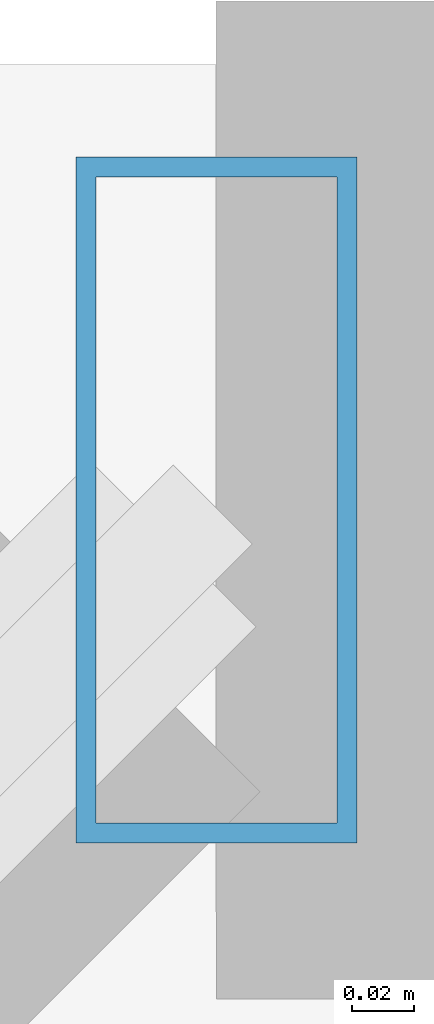
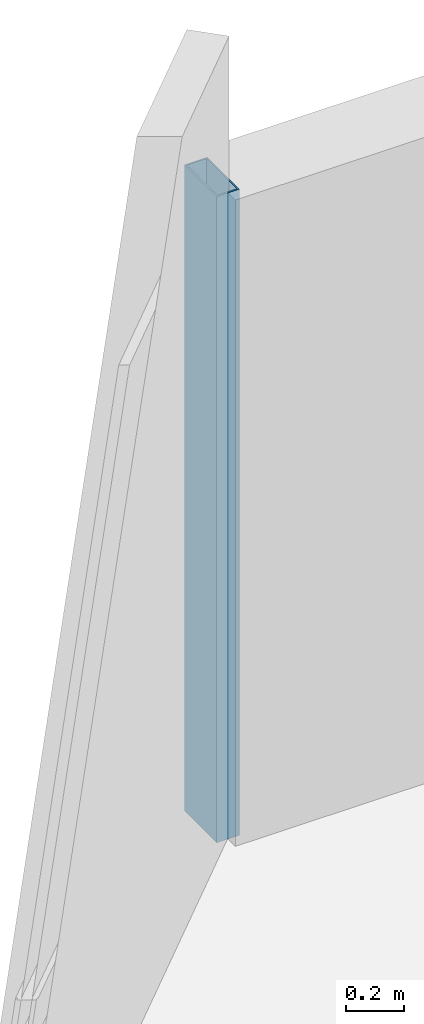
# One storey, part 9 of 33: 1 member, 1 element without a shape of its own.
"""IFC4 building model written with IfcOpenShell, lengths in metres."""

from ifc_helpers import new_model, si_unit, direction, frame, origin, origin_2d, place, context, subcontext, project, spatial, hollow_rectangle, extrude, material, material_profile, profile_set, type_object, element, aggregate, save


model = new_model("IFC4")

# Units and contexts
model_context = context("Model", 3, precision=1e-05, world=origin(), true_north=direction((0.0, 1.0)))
body_context = subcontext(model_context, "Body", "Model", "MODEL_VIEW")
ifc_project = project(units=[si_unit("LENGTHUNIT", "METRE"), si_unit("AREAUNIT", "SQUARE_METRE"), si_unit("VOLUMEUNIT", "CUBIC_METRE"), si_unit("PLANEANGLEUNIT", "RADIAN"), si_unit("MASSUNIT", "GRAM", prefix="KILO")], contexts=[model_context])

# Site, building, storey
site_placement = place(None, origin())
site = spatial("IfcSite", under=ifc_project, at=site_placement, CompositionType="ELEMENT")
building_placement = place(site_placement, origin())
building = spatial("IfcBuilding", under=site, at=building_placement, Name="Thornwick Lancets Civic Towers", CompositionType="ELEMENT")
storey_placement = place(building_placement, frame((0.0, 0.0, 101.699951171875)))
storey = spatial("IfcBuildingStorey", under=building, at=storey_placement, Name="L26", CompositionType="ELEMENT", Elevation=101.699951171875)

# Curtain wall, member
ifc_material_1 = material(Name="Low-zone chamfered-corner unitised glass curtain wall", Category="glass")
curtain_wall_type = type_object("IfcCurtainWallType", Name="CW_SYS_03", PredefinedType="NOTDEFINED", material=ifc_material_1)
curtain_wall_placement = place(storey_placement, origin())
curtain_wall = element("IfcCurtainWall", 1, at=curtain_wall_placement, inside=storey, type_object=curtain_wall_type, Name="L26 Curtain Wall CW-L26-A-E5", PredefinedType="NOTDEFINED")
ifc_material_2 = material(Name="Thermally broken bronze aluminium S355", Category="steel")
ifc_material_profile = material_profile(ifc_material_2, hollow_rectangle(XDim=0.090087890625, YDim=0.219970703125, WallThickness=0.00634765625, at=origin_2d()), Name="RHS 220x90x6.3")
ifc_profile_set = profile_set([ifc_material_profile], Name="Thermally broken bronze aluminium S355")
member_type = type_object("IfcMemberType", Name="CW_MUL_220", PredefinedType="MULLION", material=ifc_profile_set)
member_placement = place(storey_placement, frame((5.422607421875, 50.96044921875, 0.0), z_axis=(0.0, 0.0, 1.0), x_axis=(1.0, 0.0, 0.0)))
member = element("IfcMember", 2, at=member_placement, type_object=member_type, Name="CW-L26-A-E5 Mullion 0", PredefinedType="MULLION", context=body_context, shape_type="SweptSolid", body=[
    extrude(hollow_rectangle(XDim=0.090087890625, YDim=0.219970703125, WallThickness=0.00634765625, at=origin_2d()), origin(), (0.0, 0.0, 1.0), 2.699951171875),
])
aggregate(curtain_wall, [member])

save(model, "model.ifc")
